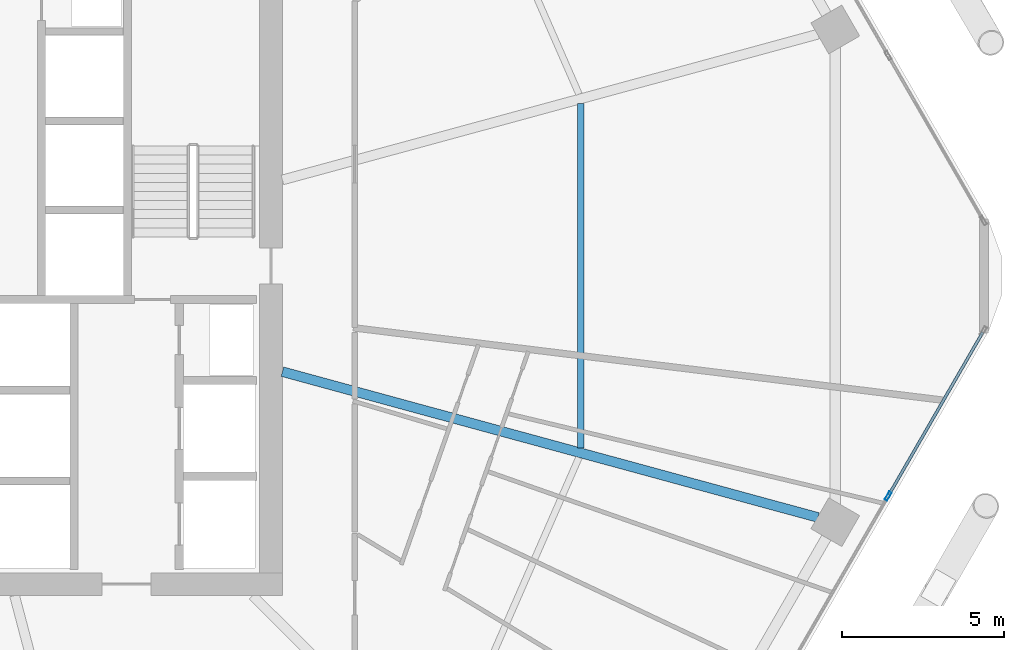
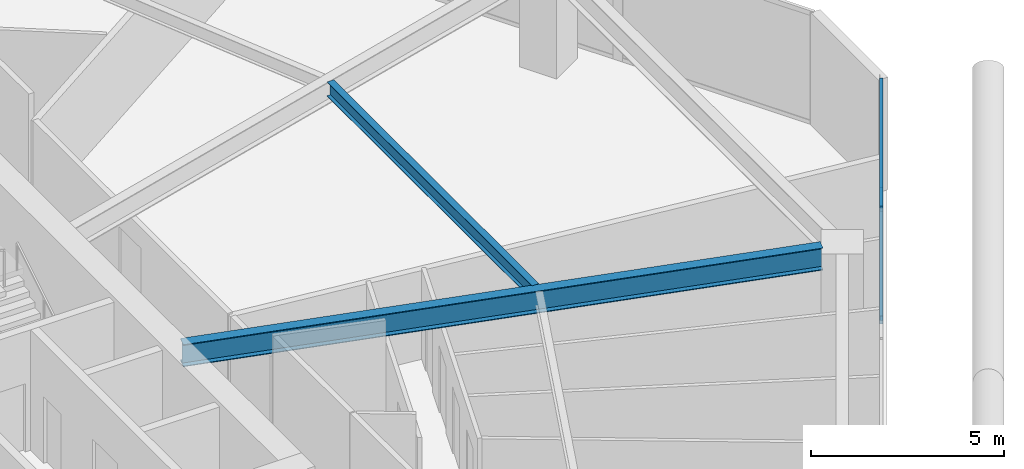
# One storey, part 12 of 35: 3 members, 2 beams, 1 element without a shape of its own.
"""IFC4 building model written with IfcOpenShell, lengths in metres."""

from ifc_helpers import new_model, si_unit, direction, frame, origin, origin_2d, place, context, subcontext, project, spatial, hollow_rectangle, i_section, extrude, material, material_profile, profile_set, type_object, element, aggregate, save


model = new_model("IFC4")

# Units and contexts
model_context = context("Model", 3, precision=1e-05, world=origin(), true_north=direction((0.0, 1.0)))
body_context = subcontext(model_context, "Body", "Model", "MODEL_VIEW")
ifc_project = project(units=[si_unit("LENGTHUNIT", "METRE"), si_unit("AREAUNIT", "SQUARE_METRE"), si_unit("VOLUMEUNIT", "CUBIC_METRE"), si_unit("PLANEANGLEUNIT", "RADIAN"), si_unit("MASSUNIT", "GRAM", prefix="KILO")], contexts=[model_context])

# Site, building, storey
site_placement = place(None, origin())
site = spatial("IfcSite", under=ifc_project, at=site_placement, CompositionType="ELEMENT")
building_placement = place(site_placement, origin())
building = spatial("IfcBuilding", under=site, at=building_placement, Name="Zuhravey Tower", CompositionType="ELEMENT")
storey_placement = place(building_placement, frame((0.0, 0.0, 115.199951171875)))
storey = spatial("IfcBuildingStorey", under=building, at=storey_placement, Name="L28", CompositionType="ELEMENT", Elevation=115.199951171875)

# Curtain wall, members
ifc_material_1 = material(Name="Thermally broken anodised aluminium", Category="aluminium")
curtain_wall_type = type_object("IfcCurtainWallType", Name="Zone 1-2 Residential Curtain Wall CW3", PredefinedType="NOTDEFINED", material=ifc_material_1)
curtain_wall_placement = place(storey_placement, origin())
curtain_wall = element("IfcCurtainWall", 1, at=curtain_wall_placement, inside=storey, type_object=curtain_wall_type, Name="L28 CW3 CW-L28-F6-1", PredefinedType="NOTDEFINED")
ifc_material_2 = material(Name="Anodised aluminium", Category="aluminium")
ifc_material_profile_1 = material_profile(ifc_material_2, hollow_rectangle(XDim=0.090087890625, YDim=0.284912109375, WallThickness=0.0048828125, at=origin_2d()), Name="ALU-RHS-90x285x5")
ifc_profile_set_1 = profile_set([ifc_material_profile_1], Name="Anodised aluminium")
member_type_1 = type_object("IfcMemberType", Name="Curtain-Wall Mullion 90x180", PredefinedType="MULLION", material=ifc_profile_set_1)
member_1_placement = place(storey_placement, frame((65.5185546875, 25.210693359375, 0.0), z_axis=(0.0, 0.0, 1.0), x_axis=(0.86602552265, -0.499999794119, 0.0)))
member_1 = element("IfcMember", 2, at=member_1_placement, type_object=member_type_1, Name="CW3 mullion 2", PredefinedType="MULLION", context=body_context, shape_type="SweptSolid", body=[
    extrude(hollow_rectangle(XDim=0.090087890625, YDim=0.284912109375, WallThickness=0.0048828125, at=origin_2d()), origin(), (0.0, 0.0, 1.0), 3.550048828125),
])
ifc_material_profile_2 = material_profile(ifc_material_2, hollow_rectangle(XDim=0.090087890625, YDim=0.14990234375, WallThickness=0.0048828125, at=origin_2d()), Name="ALU-RHS-90x150x5")
ifc_profile_set_2 = profile_set([ifc_material_profile_2], Name="Anodised aluminium")
member_type_2 = type_object("IfcMemberType", Name="Curtain-Wall Transom 90x150", PredefinedType="USERDEFINED", material=ifc_profile_set_2)
member_2_placement = place(storey_placement, frame((68.43359375, 30.259521484375, 0.045166015625), z_axis=(-0.500024450573, -0.866011286779, 0.0), x_axis=(0.866011286779, -0.500024450573, 0.0)))
member_2 = element("IfcMember", 3, at=member_2_placement, type_object=member_type_2, Name="CW3 transom 1.1", ObjectType="TRANSOM", PredefinedType="USERDEFINED", context=body_context, shape_type="SweptSolid", body=[
    extrude(hollow_rectangle(XDim=0.090087890625, YDim=0.14990234375, WallThickness=0.0048828125, at=origin_2d()), origin(), (0.0, 0.0, 1.0), 5.784912109375),
])
member_3_placement = place(storey_placement, frame((68.43359375, 30.259521484375, 3.505126953125), z_axis=(-0.500024450573, -0.866011286779, 0.0), x_axis=(0.866011286779, -0.500024450573, 0.0)))
member_3 = element("IfcMember", 4, at=member_3_placement, type_object=member_type_2, Name="CW3 transom 1.2", ObjectType="TRANSOM", PredefinedType="USERDEFINED", context=body_context, shape_type="SweptSolid", body=[
    extrude(hollow_rectangle(XDim=0.090087890625, YDim=0.14990234375, WallThickness=0.0048828125, at=origin_2d()), origin(), (0.0, 0.0, 1.0), 5.784912109375),
])
aggregate(curtain_wall, [member_1, member_2, member_3])

# Beams
ifc_material_3 = material(Name="Steel SM355", Category="steel")
ifc_material_profile_3 = material_profile(ifc_material_3, i_section(OverallWidth=0.300048828125, OverallDepth=0.699951171875, WebThickness=0.012939453125, FlangeThickness=0.02392578125, at=origin_2d()), Name="H-700x300x13x24")
ifc_profile_set_3 = profile_set([ifc_material_profile_3], Name="Steel SM355")
beam_type_1 = type_object("IfcBeamType", Name="Radial Primary Girder H700x300", PredefinedType="BEAM", material=ifc_profile_set_3)
beam_1_placement = place(storey_placement, frame((46.85302734375, 29.045654296875, 3.199951171875), z_axis=(0.964893166225, -0.262642680791, 0.0), x_axis=(0.262642680791, 0.964893166225, 0.0)))
element("IfcBeam", 5, at=beam_1_placement, inside=storey, type_object=beam_type_1, Name="L28 RG1 BM-L28-RAD-12", PredefinedType="BEAM", context=body_context, shape_type="SweptSolid", body=[
    extrude(i_section(OverallWidth=0.300048828125, OverallDepth=0.699951171875, WebThickness=0.012939453125, FlangeThickness=0.02392578125, at=origin_2d()), origin(), (0.0, 0.0, 1.0), 17.102783203125),
])
ifc_material_profile_4 = material_profile(ifc_material_3, i_section(OverallWidth=0.199951171875, OverallDepth=0.449951171875, WebThickness=0.009033203125, FlangeThickness=0.013916015625, at=origin_2d()), Name="H-450x200x9x14")
ifc_profile_set_4 = profile_set([ifc_material_profile_4], Name="Steel SM355")
beam_type_2 = type_object("IfcBeamType", Name="Secondary Floor Joist H450x200", PredefinedType="JOIST", material=ifc_profile_set_4)
beam_2_placement = place(storey_placement, frame((56.052490234375, 26.695556640625, 3.324951171875), z_axis=(0.0, 1.0, 0.0), x_axis=(-1.0, 0.0, 0.0)))
element("IfcBeam", 6, at=beam_2_placement, inside=storey, type_object=beam_type_2, Name="L28 SJ1 BM-L28-SJ-12-1", PredefinedType="JOIST", context=body_context, shape_type="SweptSolid", body=[
    extrude(i_section(OverallWidth=0.199951171875, OverallDepth=0.449951171875, WebThickness=0.009033203125, FlangeThickness=0.013916015625, at=origin_2d()), origin(), (0.0, 0.0, 1.0), 10.60888671875),
])

save(model, "model.ifc")
